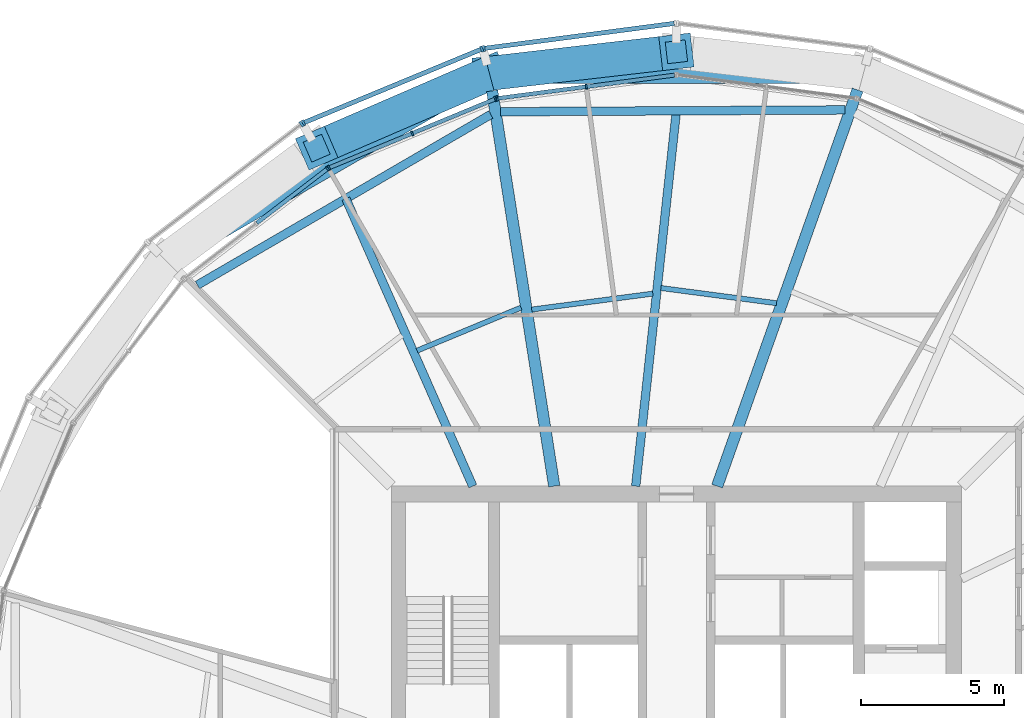
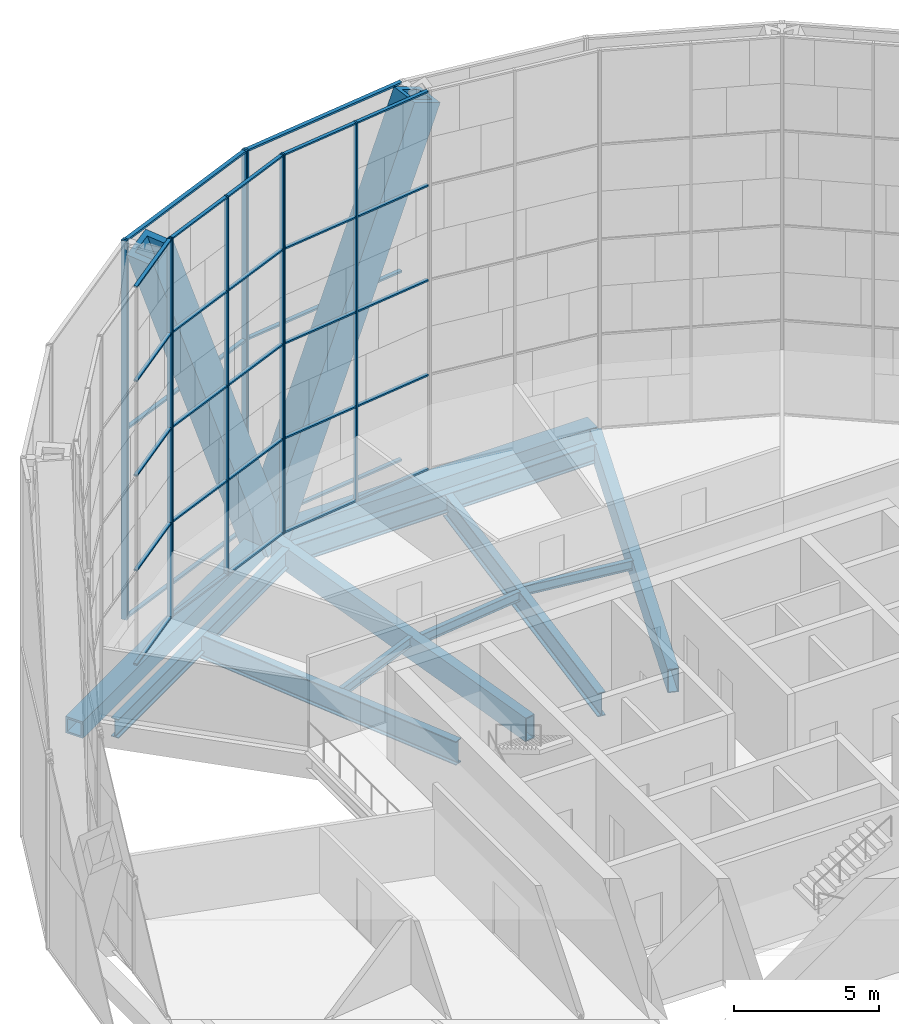
# One storey, part 9 of 28: 43 members, 11 beams, 6 elements without a shape of their own.
"""IFC4 building model written with IfcOpenShell, lengths in metres."""

import ifcopenshell
import ifcopenshell.guid

model = None  # the IFC model being written
_history = None  # IfcOwnerHistory: only IFC2X3 demands one
_inside = {}  # id of a spatial element -> (the spatial element, [elements in it])
_under = {}  # id of a project, library or spatial element -> (it, [spatial elements below it])
_declared = {}  # id of a project -> (the project, [libraries it declares])
_typed = {}  # id of a type object -> (the type object, [elements of that type])
_made_of = {}  # id of a material, layer set ... -> (it, [elements and type objects made of it])


def new_model(schema):
    """Start an empty IFC model of exactly this schema.

    Asked for "IFC4X3", IfcOpenShell would pick the latest addendum, in which some entities
    have other attributes; the version numbers below select the first issue.
    IFC2X3 requires an IfcOwnerHistory on every rooted entity: one is made here for all.
    """
    global model, _history
    if schema == "IFC4X3":
        model = ifcopenshell.file(schema_version=(4, 3, 0, 0))
    else:
        model = ifcopenshell.file(schema=schema)
    _inside.clear()
    _under.clear()
    _declared.clear()
    _typed.clear()
    _made_of.clear()
    _history = None
    if model.schema == "IFC2X3":
        org = make("IfcOrganization", Name="unknown")
        user = make(
            "IfcPersonAndOrganization",
            ThePerson=make("IfcPerson", FamilyName="unknown"),
            TheOrganization=org,
        )
        app = make(
            "IfcApplication",
            ApplicationDeveloper=org,
            Version="unknown",
            ApplicationFullName="unknown",
            ApplicationIdentifier="unknown",
        )
        _history = make(
            "IfcOwnerHistory",
            OwningUser=user,
            OwningApplication=app,
            ChangeAction="ADDED",
            CreationDate=0,
        )
    return model


def make(cls, **values):
    """One entity of the class cls with the attributes given. An attribute that is None is left unset."""
    return model.create_entity(
        cls, **{name: value for name, value in values.items() if value is not None}
    )


def rooted(cls, **values):
    """An entity with a GlobalId (a new one), such as an element, a storey or a relation."""
    return make(cls, GlobalId=ifcopenshell.guid.new(), OwnerHistory=_history, **values)


def si_unit(unit_type, name, prefix=None):
    """IfcSIUnit, for example si_unit("LENGTHUNIT", "METRE", prefix="MILLI")."""
    return make("IfcSIUnit", UnitType=unit_type, Prefix=prefix, Name=name)


def assignment(units):
    """IfcUnitAssignment: the units of a project."""
    return None if units is None else make("IfcUnitAssignment", Units=units)


def point(xyz):
    """IfcCartesianPoint."""
    return None if xyz is None else make("IfcCartesianPoint", Coordinates=xyz)


def direction(xyz):
    """IfcDirection."""
    return None if xyz is None else make("IfcDirection", DirectionRatios=xyz)


def frame(location, z_axis=None, x_axis=None):
    """IfcAxis2Placement3D, a coordinate frame: its origin and axes. An axis left out is left unset."""
    return make(
        "IfcAxis2Placement3D",
        Location=point(location),
        Axis=direction(z_axis),
        RefDirection=direction(x_axis),
    )


def frame_2d(location, x_axis=None):
    """IfcAxis2Placement2D, a coordinate frame in the plane: its origin and x axis."""
    return make(
        "IfcAxis2Placement2D", Location=point(location), RefDirection=direction(x_axis)
    )


def origin():
    """The frame at (0, 0, 0) with its axes left unset."""
    return frame((0.0, 0.0, 0.0))


def origin_2d():
    """The frame at (0, 0) in the plane with its x axis left unset."""
    return frame_2d((0.0, 0.0))


def place(relative_to, where):
    """IfcLocalPlacement: puts the frame where relative to a parent placement (None: the world)."""
    return make(
        "IfcLocalPlacement", PlacementRelTo=relative_to, RelativePlacement=where
    )


def context(
    kind, dimensions, precision=None, world=None, true_north=None, identifier=None
):
    """IfcGeometricRepresentationContext, for example the 3D "Model" context."""
    return make(
        "IfcGeometricRepresentationContext",
        ContextIdentifier=identifier,
        ContextType=kind,
        CoordinateSpaceDimension=dimensions,
        Precision=precision,
        WorldCoordinateSystem=world,
        TrueNorth=true_north,
    )


def subcontext(parent, identifier, kind, view, scale=None):
    """IfcGeometricRepresentationSubContext, for example "Body" below "Model"."""
    return make(
        "IfcGeometricRepresentationSubContext",
        ContextIdentifier=identifier,
        ContextType=kind,
        ParentContext=parent,
        TargetScale=scale,
        TargetView=view,
    )


def project(units=None, contexts=None):
    """IfcProject with its units and contexts."""
    return rooted(
        "IfcProject",
        Name="project",
        RepresentationContexts=contexts,
        UnitsInContext=assignment(units),
    )


def spatial(cls, under=None, at=None, **own):
    """A site, building, storey or space (cls), placed at a placement, below another one or the project."""
    s = rooted(cls, ObjectPlacement=at, **own)
    if under is not None:
        _under.setdefault(under.id(), (under, []))[1].append(s)
    return s


def profile(cls, at=None, kind="AREA", **sizes):
    """A parametric profile (cls). Its sizes go by their IFC names, for example OverallWidth=200.0."""
    return make(cls, ProfileType=kind, Position=at, **sizes)


def rectangle(**sizes):
    """IfcRectangleProfileDef."""
    return profile("IfcRectangleProfileDef", **sizes)


def hollow_rectangle(**sizes):
    """IfcRectangleHollowProfileDef."""
    return profile("IfcRectangleHollowProfileDef", **sizes)


def i_section(**sizes):
    """IfcIShapeProfileDef."""
    return profile("IfcIShapeProfileDef", **sizes)


def extrude(swept, where, along, depth):
    """IfcExtrudedAreaSolid: the profile swept, set in the frame where, extruded along a direction by depth."""
    return make(
        "IfcExtrudedAreaSolid",
        SweptArea=swept,
        Position=where,
        ExtrudedDirection=direction(along),
        Depth=depth,
    )


def shape(context_of_items, identifier, shape_type, items):
    """IfcShapeRepresentation: the items that make up one representation, for example the "Body"."""
    return make(
        "IfcShapeRepresentation",
        ContextOfItems=context_of_items,
        RepresentationIdentifier=identifier,
        RepresentationType=shape_type,
        Items=items,
    )


def material(Name=None, Category=None):
    """IfcMaterial."""
    return make("IfcMaterial", Name=Name, Category=Category)


def material_profile(
    of_material, cross_section, Name=None, Category=None, Priority=None
):
    """IfcMaterialProfile: a cross section and its material."""
    return make(
        "IfcMaterialProfile",
        Name=Name,
        Material=of_material,
        Profile=cross_section,
        Priority=Priority,
        Category=Category,
    )


def profile_set(profiles, Name=None, composite=None):
    """IfcMaterialProfileSet."""
    return make(
        "IfcMaterialProfileSet",
        Name=Name,
        MaterialProfiles=profiles,
        CompositeProfile=composite,
    )


def made_of(thing, what):
    """Note that an element or type object is made of a material, layer set ...; save() writes the relation."""
    if what is not None:
        _made_of.setdefault(what.id(), (what, []))[1].append(thing)
    return thing


def type_object(cls, material=None, **own):
    """A type object (cls), such as IfcWallType, which elements share."""
    return made_of(rooted(cls, **own), material)


def element(
    cls,
    number,
    at=None,
    inside=None,
    cuts=None,
    type_object=None,
    material=None,
    context=None,
    identifier="Body",
    shape_type=None,
    held_by="IfcProductDefinitionShape",
    body=None,
    shapes=None,
    **own,
):
    """One element of the class cls, such as IfcWall. Its Tag is "e" and its number.

    at: its placement. inside: the storey or other place that contains it. cuts: it is an
    opening in that element (IfcRelVoidsElement). A single representation is given by context,
    identifier, shape_type and body (its items); several are given by shapes. held_by: the class
    of the entity that holds the representations. save() writes the other relations.
    """
    e = rooted(cls, Tag="e%d" % number, ObjectPlacement=at, **own)
    if body is not None:
        shapes = [shape(context, identifier, shape_type, body)]
    if shapes is not None:
        e.Representation = make(held_by, Representations=shapes)
    if inside is not None:
        _inside.setdefault(inside.id(), (inside, []))[1].append(e)
    if cuts is not None:
        rooted(
            "IfcRelVoidsElement", RelatingBuildingElement=cuts, RelatedOpeningElement=e
        )
    if type_object is not None:
        _typed.setdefault(type_object.id(), (type_object, []))[1].append(e)
    return made_of(e, material)


def aggregate(whole, parts):
    """IfcRelAggregates: a whole, such as a stair, and the parts it consists of."""
    return rooted("IfcRelAggregates", RelatingObject=whole, RelatedObjects=parts)


def save(model, path):
    """Write the relations noted so far, then the file.

    IfcRelAggregates (storeys below a building ...), IfcRelContainedInSpatialStructure (elements
    in a storey), IfcRelDefinesByType, IfcRelAssociatesMaterial and IfcRelDeclares: one each for
    every whole, place, type object, material and project.
    """
    for whole, parts in _under.values():
        aggregate(whole, parts)
    for where, things in _inside.values():
        rooted(
            "IfcRelContainedInSpatialStructure",
            RelatedElements=things,
            RelatingStructure=where,
        )
    for kind, things in _typed.values():
        rooted("IfcRelDefinesByType", RelatedObjects=things, RelatingType=kind)
    for what, things in _made_of.values():
        rooted("IfcRelAssociatesMaterial", RelatedObjects=things, RelatingMaterial=what)
    for by, libraries in _declared.values():
        rooted("IfcRelDeclares", RelatingContext=by, RelatedDefinitions=libraries)
    model.write(path)


model = new_model("IFC4")

# Units and contexts
model_context = context("Model", 3, precision=1e-05, world=origin(), true_north=direction((0.0, 1.0)))
body_context = subcontext(model_context, "Body", "Model", "MODEL_VIEW")
ifc_project = project(units=[si_unit("LENGTHUNIT", "METRE"), si_unit("AREAUNIT", "SQUARE_METRE"), si_unit("VOLUMEUNIT", "CUBIC_METRE"), si_unit("PLANEANGLEUNIT", "RADIAN"), si_unit("MASSUNIT", "GRAM", prefix="KILO")], contexts=[model_context])

# Site, building, storey
site_placement = place(None, origin())
site = spatial("IfcSite", under=ifc_project, at=site_placement, CompositionType="ELEMENT")
building_placement = place(site_placement, origin())
building = spatial("IfcBuilding", under=site, at=building_placement, Name="Golbaran Civic Tower", CompositionType="ELEMENT")
storey_placement = place(building_placement, frame((0.0, 0.0, 134.0)))
storey = spatial("IfcBuildingStorey", under=building, at=storey_placement, Name="L32", CompositionType="ELEMENT", Elevation=134.0)

# Members
ifc_material_1 = material(Name="Steel S355", Category="steel")
ifc_material_profile_1 = material_profile(ifc_material_1, hollow_rectangle(XDim=1.199951171875, YDim=1.199951171875, WallThickness=0.219970703125, at=origin_2d()), Name="BOX 1200x1200x220")
ifc_profile_set_1 = profile_set([ifc_material_profile_1], Name="Steel S355")
member_type_1 = type_object("IfcMemberType", Name="DIAGRID DIAGONAL BOX 1200x1200x220", PredefinedType="BRACE", material=ifc_profile_set_1)
for number, where, z_axis, x_axis, name in (
    (1, (-6.55859375, 24.4765625, -0.7099609375), (-0.350021010135, -0.151560578437, 0.924399634102), (0.397353161289, -0.917665769882, 0.0), "Diagonal D07-03R L32-L36"),
    (2, (-6.55859375, 24.4765625, -0.7099609375), (0.37892043084, 0.043754138493, 0.92439433277), (-0.114708322129, 0.993399215237, 0.0), "Diagonal D07-03L L32-L36"),
):
    element("IfcMember", number, at=place(storey_placement, frame(where, z_axis=z_axis, x_axis=x_axis)), inside=storey, type_object=member_type_1, Name=name, PredefinedType="BRACE", context=body_context, shape_type="SweptSolid", body=[
        extrude(hollow_rectangle(XDim=1.199951171875, YDim=1.199951171875, WallThickness=0.219970703125, at=origin_2d()), origin(), (0.0, 0.0, 1.0), 17.30859375),
    ])

# Beams
ifc_material_profile_2 = material_profile(ifc_material_1, hollow_rectangle(XDim=0.699951171875, YDim=0.699951171875, WallThickness=0.080078125, at=origin_2d()), Name="BOX 700x700x80")
ifc_profile_set_2 = profile_set([ifc_material_profile_2], Name="Steel S355")
beam_type_1 = type_object("IfcBeamType", Name="DIAGRID RING TIE BOX 700x700x80", PredefinedType="BEAM", material=ifc_profile_set_2)
beam_1_placement = place(storey_placement, frame((6.55859375, 24.4765625, -0.7099609375), z_axis=(-1.0, 0.0, 0.0), x_axis=(0.0, -1.0, 0.0)))
element("IfcBeam", 3, at=beam_1_placement, inside=storey, type_object=beam_type_1, Name="Ring tie 75.00 L32", PredefinedType="BEAM", context=body_context, shape_type="SweptSolid", body=[
    extrude(hollow_rectangle(XDim=0.699951171875, YDim=0.699951171875, WallThickness=0.080078125, at=origin_2d()), origin(), (0.0, 0.0, 1.0), 13.1171875),
])
beam_2_placement = place(storey_placement, frame((-6.55859375, 24.4765625, -0.7099609375), z_axis=(-0.866016967894, -0.500014611105, 0.0), x_axis=(0.500014611105, -0.866016967894, 0.0)))
element("IfcBeam", 4, at=beam_2_placement, inside=storey, type_object=beam_type_1, Name="Ring tie 105.00 L32", PredefinedType="BEAM", context=body_context, shape_type="SweptSolid", body=[
    extrude(hollow_rectangle(XDim=0.699951171875, YDim=0.699951171875, WallThickness=0.080078125, at=origin_2d()), origin(), (0.0, 0.0, 1.0), 13.11669921875),
])
ifc_material_profile_3 = material_profile(ifc_material_1, i_section(OverallWidth=0.300048828125, OverallDepth=0.800048828125, WebThickness=0.017578125, FlangeThickness=0.032958984375, FilletRadius=0.030029296875, at=origin_2d()), Name="HEB 800")
ifc_profile_set_3 = profile_set([ifc_material_profile_3], Name="Steel S355")
beam_type_2 = type_object("IfcBeamType", Name="EDGE BEAM HEB 800", PredefinedType="BEAM", material=ifc_profile_set_3)
beam_3_placement = place(storey_placement, frame((5.913330078125, 23.195068359375, -0.60009765625), z_axis=(-0.999986297287, -0.005235001233, 0.0), x_axis=(0.005235001233, -0.999986297287, 0.0)))
element("IfcBeam", 5, at=beam_3_placement, inside=storey, type_object=beam_type_2, Name="Edge beam 75.00 L32", PredefinedType="BEAM", context=body_context, shape_type="SweptSolid", body=[
    extrude(i_section(OverallWidth=0.300048828125, OverallDepth=0.800048828125, WebThickness=0.017578125, FlangeThickness=0.032958984375, FilletRadius=0.030029296875, at=origin_2d()), origin(), (0.0, 0.0, 1.0), 12.078857421875),
])
beam_4_placement = place(storey_placement, frame((-6.51416015625, 23.033935546875, -0.60009765625), z_axis=(-0.864517761799, -0.502602267737, 0.0), x_axis=(0.502602267737, -0.864517761799, 0.0)))
element("IfcBeam", 6, at=beam_4_placement, inside=storey, type_object=beam_type_2, Name="Edge beam 105.00 L32", PredefinedType="BEAM", context=body_context, shape_type="SweptSolid", body=[
    extrude(i_section(OverallWidth=0.300048828125, OverallDepth=0.800048828125, WebThickness=0.017578125, FlangeThickness=0.032958984375, FilletRadius=0.030029296875, at=origin_2d()), origin(), (0.0, 0.0, 1.0), 11.8974609375),
])
ifc_material_profile_4 = material_profile(ifc_material_1, i_section(OverallWidth=0.179931640625, OverallDepth=0.39990234375, WebThickness=0.008544921875, FlangeThickness=0.013427734375, FilletRadius=0.02099609375, at=origin_2d()), Name="IPE 400")
ifc_profile_set_4 = profile_set([ifc_material_profile_4], Name="Steel S355")
beam_type_3 = type_object("IfcBeamType", Name="FLOOR INFILL BEAM IPE 400", PredefinedType="BEAM", material=ifc_profile_set_4)
beam_5_placement = place(storey_placement, frame((3.510986328125, 16.41552734375, -0.39990234375), z_axis=(-0.991448605296, 0.130497751155, 0.0), x_axis=(-0.130497751155, -0.991448605296, 0.0)))
element("IfcBeam", 7, at=beam_5_placement, inside=storey, type_object=beam_type_3, Name="Infill beam 82.50 L32", PredefinedType="BEAM", context=body_context, shape_type="SweptSolid", body=[
    extrude(i_section(OverallWidth=0.179931640625, OverallDepth=0.39990234375, WebThickness=0.008544921875, FlangeThickness=0.013427734375, FilletRadius=0.02099609375, at=origin_2d()), origin(), (0.0, 0.0, 1.0), 4.089599609375),
])
beam_6_placement = place(storey_placement, frame((-0.82666015625, 16.752685546875, -0.39990234375), z_axis=(-0.991440524294, -0.130559131381, 0.0), x_axis=(0.130559131381, -0.991440524294, 0.0)))
element("IfcBeam", 8, at=beam_6_placement, inside=storey, type_object=beam_type_3, Name="Infill beam 97.50 L32", PredefinedType="BEAM", context=body_context, shape_type="SweptSolid", body=[
    extrude(i_section(OverallWidth=0.179931640625, OverallDepth=0.39990234375, WebThickness=0.008544921875, FlangeThickness=0.013427734375, FilletRadius=0.02099609375, at=origin_2d()), origin(), (0.0, 0.0, 1.0), 4.285888671875),
])
beam_7_placement = place(storey_placement, frame((-5.451171875, 16.26220703125, -0.39990234375), z_axis=(-0.923887198212, -0.382664925203, 0.0), x_axis=(0.382664925203, -0.923887198212, 0.0)))
element("IfcBeam", 9, at=beam_7_placement, inside=storey, type_object=beam_type_3, Name="Infill beam 112.50 L32", PredefinedType="BEAM", context=body_context, shape_type="SweptSolid", body=[
    extrude(i_section(OverallWidth=0.179931640625, OverallDepth=0.39990234375, WebThickness=0.008544921875, FlangeThickness=0.013427734375, FilletRadius=0.02099609375, at=origin_2d()), origin(), (0.0, 0.0, 1.0), 3.947998046875),
])

# Curtain wall, members
ifc_material_2 = material(Name="Aluminium and glass", Category="aluminium")
curtain_wall_type_1 = type_object("IfcCurtainWallType", Name="INNER SKIN CURTAIN WALL", PredefinedType="NOTDEFINED", material=ifc_material_2)
curtain_wall_1_placement = place(storey_placement, origin())
curtain_wall_1 = element("IfcCurtainWall", 10, at=curtain_wall_1_placement, inside=storey, type_object=curtain_wall_type_1, Name="Inner skin L32 facet 7 CW1", ObjectType="INNER SKIN", PredefinedType="USERDEFINED")
ifc_material_3 = material(Name="Aluminium", Category="aluminium")
ifc_material_profile_5 = material_profile(ifc_material_3, rectangle(XDim=0.179931640625, YDim=0.06494140625, at=origin_2d()), Name="INNER SKIN CURTAIN WALL MULLION")
ifc_profile_set_5 = profile_set([ifc_material_profile_5], Name="Aluminium")
member_type_2 = type_object("IfcMemberType", Name="INNER SKIN CURTAIN WALL MULLION", PredefinedType="MULLION", material=ifc_profile_set_5)
member_1_placement = place(storey_placement, frame((-3.160888671875, 24.0087890625, 0.0), z_axis=(0.0, 0.0, 1.0), x_axis=(0.130526192237, -0.991444861372, 0.0)))
member_1 = element("IfcMember", 11, at=member_1_placement, type_object=member_type_2, Name="CW1 mullion 2", PredefinedType="MULLION", context=body_context, shape_type="SweptSolid", body=[
    extrude(rectangle(XDim=0.179931640625, YDim=0.06494140625, at=origin_2d()), origin(), (0.0, 0.0, 1.0), 16.0),
])
member_2_placement = place(storey_placement, frame((-6.28955078125, 23.596923828125, 0.0), z_axis=(0.0, 0.0, 1.0), x_axis=(0.130526192237, -0.991444861372, 0.0)))
member_2 = element("IfcMember", 12, at=member_2_placement, type_object=member_type_2, Name="CW1 mullion 3", PredefinedType="MULLION", context=body_context, shape_type="SweptSolid", body=[
    extrude(rectangle(XDim=0.179931640625, YDim=0.06494140625, at=origin_2d()), origin(), (0.0, 0.0, 1.0), 16.0),
])

curtain_wall_2_placement = place(storey_placement, origin())
curtain_wall_2 = element("IfcCurtainWall", 13, at=curtain_wall_2_placement, inside=storey, type_object=curtain_wall_type_1, Name="Inner skin L32 facet 8 CW1", ObjectType="INNER SKIN", PredefinedType="USERDEFINED")
member_3_placement = place(storey_placement, frame((-6.3515625, 23.580322265625, 0.0), z_axis=(0.0, 0.0, 1.0), x_axis=(0.38268343243, -0.923879532485, 0.0)))
member_3 = element("IfcMember", 14, at=member_3_placement, type_object=member_type_2, Name="CW1 mullion 1", PredefinedType="MULLION", context=body_context, shape_type="SweptSolid", body=[
    extrude(rectangle(XDim=0.179931640625, YDim=0.06494140625, at=origin_2d()), origin(), (0.0, 0.0, 1.0), 16.0),
])
member_4_placement = place(storey_placement, frame((-9.26708984375, 22.372802734375, 0.0), z_axis=(0.0, 0.0, 1.0), x_axis=(0.38268343243, -0.923879532485, 0.0)))
member_4 = element("IfcMember", 15, at=member_4_placement, type_object=member_type_2, Name="CW1 mullion 2", PredefinedType="MULLION", context=body_context, shape_type="SweptSolid", body=[
    extrude(rectangle(XDim=0.179931640625, YDim=0.06494140625, at=origin_2d()), origin(), (0.0, 0.0, 1.0), 16.0),
])
member_5_placement = place(storey_placement, frame((-12.182373046875, 21.1650390625, 0.0), z_axis=(0.0, 0.0, 1.0), x_axis=(0.38268343243, -0.923879532485, 0.0)))
member_5 = element("IfcMember", 16, at=member_5_placement, type_object=member_type_2, Name="CW1 mullion 3", PredefinedType="MULLION", context=body_context, shape_type="SweptSolid", body=[
    extrude(rectangle(XDim=0.179931640625, YDim=0.06494140625, at=origin_2d()), origin(), (0.0, 0.0, 1.0), 16.0),
])

# Curtain wall, member
curtain_wall_3_placement = place(storey_placement, origin())
curtain_wall_3 = element("IfcCurtainWall", 17, at=curtain_wall_3_placement, inside=storey, type_object=curtain_wall_type_1, Name="Inner skin L32 facet 9 CW1", ObjectType="INNER SKIN", PredefinedType="USERDEFINED")
member_6_placement = place(storey_placement, frame((-12.23828125, 21.1328125, 0.0), z_axis=(0.0, 0.0, 1.0), x_axis=(0.60876142905, -0.793353340259, 0.0)))
member_6 = element("IfcMember", 18, at=member_6_placement, type_object=member_type_2, Name="CW1 mullion 1", PredefinedType="MULLION", context=body_context, shape_type="SweptSolid", body=[
    extrude(rectangle(XDim=0.179931640625, YDim=0.06494140625, at=origin_2d()), origin(), (0.0, 0.0, 1.0), 16.0),
])

# Member
ifc_material_profile_6 = material_profile(ifc_material_3, rectangle(XDim=0.139892578125, YDim=0.06494140625, at=origin_2d()), Name="INNER SKIN CURTAIN WALL TRANSOM")
ifc_profile_set_6 = profile_set([ifc_material_profile_6], Name="Aluminium")
member_type_3 = type_object("IfcMemberType", Name="INNER SKIN CURTAIN WALL TRANSOM", PredefinedType="USERDEFINED", material=ifc_profile_set_6)
member_7_placement = place(storey_placement, frame((-0.064453125, 24.41650390625, 0.032470703125), z_axis=(-0.991448648373, -0.13049742388, 0.0), x_axis=(0.13049742388, -0.991448648373, 0.0)))
member_7 = element("IfcMember", 19, at=member_7_placement, type_object=member_type_3, Name="CW1 transom 1.1", ObjectType="TRANSOM", PredefinedType="USERDEFINED", context=body_context, shape_type="SweptSolid", body=[
    extrude(rectangle(XDim=0.139892578125, YDim=0.06494140625, at=origin_2d()), origin(), (0.0, 0.0, 1.0), 3.090576171875),
])

member_8_placement = place(storey_placement, frame((-0.064453125, 24.41650390625, 4.0), z_axis=(-0.991448648373, -0.13049742388, 0.0), x_axis=(0.13049742388, -0.991448648373, 0.0)))
member_8 = element("IfcMember", 20, at=member_8_placement, type_object=member_type_3, Name="CW1 transom 1.2", ObjectType="TRANSOM", PredefinedType="USERDEFINED", context=body_context, shape_type="SweptSolid", body=[
    extrude(rectangle(XDim=0.139892578125, YDim=0.06494140625, at=origin_2d()), origin(), (0.0, 0.0, 1.0), 3.090576171875),
])

member_9_placement = place(storey_placement, frame((-0.064453125, 24.41650390625, 8.0), z_axis=(-0.991448648373, -0.13049742388, 0.0), x_axis=(0.13049742388, -0.991448648373, 0.0)))
member_9 = element("IfcMember", 21, at=member_9_placement, type_object=member_type_3, Name="CW1 transom 1.3", ObjectType="TRANSOM", PredefinedType="USERDEFINED", context=body_context, shape_type="SweptSolid", body=[
    extrude(rectangle(XDim=0.139892578125, YDim=0.06494140625, at=origin_2d()), origin(), (0.0, 0.0, 1.0), 3.090576171875),
])

member_10_placement = place(storey_placement, frame((-0.064453125, 24.41650390625, 12.0), z_axis=(-0.991448648373, -0.13049742388, 0.0), x_axis=(0.13049742388, -0.991448648373, 0.0)))
member_10 = element("IfcMember", 22, at=member_10_placement, type_object=member_type_3, Name="CW1 transom 1.4", ObjectType="TRANSOM", PredefinedType="USERDEFINED", context=body_context, shape_type="SweptSolid", body=[
    extrude(rectangle(XDim=0.139892578125, YDim=0.06494140625, at=origin_2d()), origin(), (0.0, 0.0, 1.0), 3.090576171875),
])

member_11_placement = place(storey_placement, frame((-0.064453125, 24.41650390625, 15.967529296875), z_axis=(-0.991448648373, -0.13049742388, 0.0), x_axis=(0.13049742388, -0.991448648373, 0.0)))
member_11 = element("IfcMember", 23, at=member_11_placement, type_object=member_type_3, Name="CW1 transom 1.5", ObjectType="TRANSOM", PredefinedType="USERDEFINED", context=body_context, shape_type="SweptSolid", body=[
    extrude(rectangle(XDim=0.139892578125, YDim=0.06494140625, at=origin_2d()), origin(), (0.0, 0.0, 1.0), 3.090576171875),
])

member_12_placement = place(storey_placement, frame((-3.193115234375, 24.004638671875, 0.032470703125), z_axis=(-0.991448648373, -0.13049742388, 0.0), x_axis=(0.13049742388, -0.991448648373, 0.0)))
member_12 = element("IfcMember", 24, at=member_12_placement, type_object=member_type_3, Name="CW1 transom 2.1", ObjectType="TRANSOM", PredefinedType="USERDEFINED", context=body_context, shape_type="SweptSolid", body=[
    extrude(rectangle(XDim=0.139892578125, YDim=0.06494140625, at=origin_2d()), origin(), (0.0, 0.0, 1.0), 3.090576171875),
])

member_13_placement = place(storey_placement, frame((-3.193115234375, 24.004638671875, 4.0), z_axis=(-0.991448648373, -0.13049742388, 0.0), x_axis=(0.13049742388, -0.991448648373, 0.0)))
member_13 = element("IfcMember", 25, at=member_13_placement, type_object=member_type_3, Name="CW1 transom 2.2", ObjectType="TRANSOM", PredefinedType="USERDEFINED", context=body_context, shape_type="SweptSolid", body=[
    extrude(rectangle(XDim=0.139892578125, YDim=0.06494140625, at=origin_2d()), origin(), (0.0, 0.0, 1.0), 3.090576171875),
])

member_14_placement = place(storey_placement, frame((-3.193115234375, 24.004638671875, 8.0), z_axis=(-0.991448648373, -0.13049742388, 0.0), x_axis=(0.13049742388, -0.991448648373, 0.0)))
member_14 = element("IfcMember", 26, at=member_14_placement, type_object=member_type_3, Name="CW1 transom 2.3", ObjectType="TRANSOM", PredefinedType="USERDEFINED", context=body_context, shape_type="SweptSolid", body=[
    extrude(rectangle(XDim=0.139892578125, YDim=0.06494140625, at=origin_2d()), origin(), (0.0, 0.0, 1.0), 3.090576171875),
])

member_15_placement = place(storey_placement, frame((-3.193115234375, 24.004638671875, 12.0), z_axis=(-0.991448648373, -0.13049742388, 0.0), x_axis=(0.13049742388, -0.991448648373, 0.0)))
member_15 = element("IfcMember", 27, at=member_15_placement, type_object=member_type_3, Name="CW1 transom 2.4", ObjectType="TRANSOM", PredefinedType="USERDEFINED", context=body_context, shape_type="SweptSolid", body=[
    extrude(rectangle(XDim=0.139892578125, YDim=0.06494140625, at=origin_2d()), origin(), (0.0, 0.0, 1.0), 3.090576171875),
])

member_16_placement = place(storey_placement, frame((-3.193115234375, 24.004638671875, 15.967529296875), z_axis=(-0.991448648373, -0.13049742388, 0.0), x_axis=(0.13049742388, -0.991448648373, 0.0)))
member_16 = element("IfcMember", 28, at=member_16_placement, type_object=member_type_3, Name="CW1 transom 2.5", ObjectType="TRANSOM", PredefinedType="USERDEFINED", context=body_context, shape_type="SweptSolid", body=[
    extrude(rectangle(XDim=0.139892578125, YDim=0.06494140625, at=origin_2d()), origin(), (0.0, 0.0, 1.0), 3.090576171875),
])

aggregate(curtain_wall_1, [member_1, member_2, member_7, member_8, member_9, member_10, member_11, member_12, member_13, member_14, member_15, member_16])

member_17_placement = place(storey_placement, frame((-6.381591796875, 23.56787109375, 0.032470703125), z_axis=(-0.923897456466, -0.382640157244, 0.0), x_axis=(0.382640157244, -0.923897456466, 0.0)))
member_17 = element("IfcMember", 29, at=member_17_placement, type_object=member_type_3, Name="CW1 transom 1.1", ObjectType="TRANSOM", PredefinedType="USERDEFINED", context=body_context, shape_type="SweptSolid", body=[
    extrude(rectangle(XDim=0.139892578125, YDim=0.06494140625, at=origin_2d()), origin(), (0.0, 0.0, 1.0), 3.090576171875),
])

member_18_placement = place(storey_placement, frame((-6.381591796875, 23.56787109375, 4.0), z_axis=(-0.923897456466, -0.382640157244, 0.0), x_axis=(0.382640157244, -0.923897456466, 0.0)))
member_18 = element("IfcMember", 30, at=member_18_placement, type_object=member_type_3, Name="CW1 transom 1.2", ObjectType="TRANSOM", PredefinedType="USERDEFINED", context=body_context, shape_type="SweptSolid", body=[
    extrude(rectangle(XDim=0.139892578125, YDim=0.06494140625, at=origin_2d()), origin(), (0.0, 0.0, 1.0), 3.090576171875),
])

member_19_placement = place(storey_placement, frame((-6.381591796875, 23.56787109375, 8.0), z_axis=(-0.923897456466, -0.382640157244, 0.0), x_axis=(0.382640157244, -0.923897456466, 0.0)))
member_19 = element("IfcMember", 31, at=member_19_placement, type_object=member_type_3, Name="CW1 transom 1.3", ObjectType="TRANSOM", PredefinedType="USERDEFINED", context=body_context, shape_type="SweptSolid", body=[
    extrude(rectangle(XDim=0.139892578125, YDim=0.06494140625, at=origin_2d()), origin(), (0.0, 0.0, 1.0), 3.090576171875),
])

member_20_placement = place(storey_placement, frame((-6.381591796875, 23.56787109375, 12.0), z_axis=(-0.923897456466, -0.382640157244, 0.0), x_axis=(0.382640157244, -0.923897456466, 0.0)))
member_20 = element("IfcMember", 32, at=member_20_placement, type_object=member_type_3, Name="CW1 transom 1.4", ObjectType="TRANSOM", PredefinedType="USERDEFINED", context=body_context, shape_type="SweptSolid", body=[
    extrude(rectangle(XDim=0.139892578125, YDim=0.06494140625, at=origin_2d()), origin(), (0.0, 0.0, 1.0), 3.090576171875),
])

member_21_placement = place(storey_placement, frame((-6.381591796875, 23.56787109375, 15.967529296875), z_axis=(-0.923897456466, -0.382640157244, 0.0), x_axis=(0.382640157244, -0.923897456466, 0.0)))
member_21 = element("IfcMember", 33, at=member_21_placement, type_object=member_type_3, Name="CW1 transom 1.5", ObjectType="TRANSOM", PredefinedType="USERDEFINED", context=body_context, shape_type="SweptSolid", body=[
    extrude(rectangle(XDim=0.139892578125, YDim=0.06494140625, at=origin_2d()), origin(), (0.0, 0.0, 1.0), 3.090576171875),
])

member_22_placement = place(storey_placement, frame((-9.297119140625, 22.3603515625, 0.032470703125), z_axis=(-0.923857958789, -0.382735511786, 0.0), x_axis=(0.382735511786, -0.923857958789, 0.0)))
member_22 = element("IfcMember", 34, at=member_22_placement, type_object=member_type_3, Name="CW1 transom 2.1", ObjectType="TRANSOM", PredefinedType="USERDEFINED", context=body_context, shape_type="SweptSolid", body=[
    extrude(rectangle(XDim=0.139892578125, YDim=0.06494140625, at=origin_2d()), origin(), (0.0, 0.0, 1.0), 3.090576171875),
])

member_23_placement = place(storey_placement, frame((-9.297119140625, 22.3603515625, 4.0), z_axis=(-0.923857958789, -0.382735511786, 0.0), x_axis=(0.382735511786, -0.923857958789, 0.0)))
member_23 = element("IfcMember", 35, at=member_23_placement, type_object=member_type_3, Name="CW1 transom 2.2", ObjectType="TRANSOM", PredefinedType="USERDEFINED", context=body_context, shape_type="SweptSolid", body=[
    extrude(rectangle(XDim=0.139892578125, YDim=0.06494140625, at=origin_2d()), origin(), (0.0, 0.0, 1.0), 3.090576171875),
])

member_24_placement = place(storey_placement, frame((-9.297119140625, 22.3603515625, 8.0), z_axis=(-0.923857958789, -0.382735511786, 0.0), x_axis=(0.382735511786, -0.923857958789, 0.0)))
member_24 = element("IfcMember", 36, at=member_24_placement, type_object=member_type_3, Name="CW1 transom 2.3", ObjectType="TRANSOM", PredefinedType="USERDEFINED", context=body_context, shape_type="SweptSolid", body=[
    extrude(rectangle(XDim=0.139892578125, YDim=0.06494140625, at=origin_2d()), origin(), (0.0, 0.0, 1.0), 3.090576171875),
])

member_25_placement = place(storey_placement, frame((-9.297119140625, 22.3603515625, 12.0), z_axis=(-0.923857958789, -0.382735511786, 0.0), x_axis=(0.382735511786, -0.923857958789, 0.0)))
member_25 = element("IfcMember", 37, at=member_25_placement, type_object=member_type_3, Name="CW1 transom 2.4", ObjectType="TRANSOM", PredefinedType="USERDEFINED", context=body_context, shape_type="SweptSolid", body=[
    extrude(rectangle(XDim=0.139892578125, YDim=0.06494140625, at=origin_2d()), origin(), (0.0, 0.0, 1.0), 3.090576171875),
])

member_26_placement = place(storey_placement, frame((-9.297119140625, 22.3603515625, 15.967529296875), z_axis=(-0.923857958789, -0.382735511786, 0.0), x_axis=(0.382735511786, -0.923857958789, 0.0)))
member_26 = element("IfcMember", 38, at=member_26_placement, type_object=member_type_3, Name="CW1 transom 2.5", ObjectType="TRANSOM", PredefinedType="USERDEFINED", context=body_context, shape_type="SweptSolid", body=[
    extrude(rectangle(XDim=0.139892578125, YDim=0.06494140625, at=origin_2d()), origin(), (0.0, 0.0, 1.0), 3.090576171875),
])

aggregate(curtain_wall_2, [member_3, member_4, member_5, member_17, member_18, member_19, member_20, member_21, member_22, member_23, member_24, member_25, member_26])

member_27_placement = place(storey_placement, frame((-12.26416015625, 21.113037109375, 0.032470703125), z_axis=(-0.793363448304, -0.608748255763, 0.0), x_axis=(0.608748255763, -0.793363448304, 0.0)))
member_27 = element("IfcMember", 39, at=member_27_placement, type_object=member_type_3, Name="CW1 transom 1.1", ObjectType="TRANSOM", PredefinedType="USERDEFINED", context=body_context, shape_type="SweptSolid", body=[
    extrude(rectangle(XDim=0.139892578125, YDim=0.06494140625, at=origin_2d()), origin(), (0.0, 0.0, 1.0), 3.090576171875),
])

member_28_placement = place(storey_placement, frame((-12.26416015625, 21.113037109375, 4.0), z_axis=(-0.793363448304, -0.608748255763, 0.0), x_axis=(0.608748255763, -0.793363448304, 0.0)))
member_28 = element("IfcMember", 40, at=member_28_placement, type_object=member_type_3, Name="CW1 transom 1.2", ObjectType="TRANSOM", PredefinedType="USERDEFINED", context=body_context, shape_type="SweptSolid", body=[
    extrude(rectangle(XDim=0.139892578125, YDim=0.06494140625, at=origin_2d()), origin(), (0.0, 0.0, 1.0), 3.090576171875),
])

member_29_placement = place(storey_placement, frame((-12.26416015625, 21.113037109375, 8.0), z_axis=(-0.793363448304, -0.608748255763, 0.0), x_axis=(0.608748255763, -0.793363448304, 0.0)))
member_29 = element("IfcMember", 41, at=member_29_placement, type_object=member_type_3, Name="CW1 transom 1.3", ObjectType="TRANSOM", PredefinedType="USERDEFINED", context=body_context, shape_type="SweptSolid", body=[
    extrude(rectangle(XDim=0.139892578125, YDim=0.06494140625, at=origin_2d()), origin(), (0.0, 0.0, 1.0), 3.090576171875),
])

member_30_placement = place(storey_placement, frame((-12.26416015625, 21.113037109375, 12.0), z_axis=(-0.793363448304, -0.608748255763, 0.0), x_axis=(0.608748255763, -0.793363448304, 0.0)))
member_30 = element("IfcMember", 42, at=member_30_placement, type_object=member_type_3, Name="CW1 transom 1.4", ObjectType="TRANSOM", PredefinedType="USERDEFINED", context=body_context, shape_type="SweptSolid", body=[
    extrude(rectangle(XDim=0.139892578125, YDim=0.06494140625, at=origin_2d()), origin(), (0.0, 0.0, 1.0), 3.090576171875),
])

member_31_placement = place(storey_placement, frame((-12.26416015625, 21.113037109375, 15.967529296875), z_axis=(-0.793363448304, -0.608748255763, 0.0), x_axis=(0.608748255763, -0.793363448304, 0.0)))
member_31 = element("IfcMember", 43, at=member_31_placement, type_object=member_type_3, Name="CW1 transom 1.5", ObjectType="TRANSOM", PredefinedType="USERDEFINED", context=body_context, shape_type="SweptSolid", body=[
    extrude(rectangle(XDim=0.139892578125, YDim=0.06494140625, at=origin_2d()), origin(), (0.0, 0.0, 1.0), 3.090576171875),
])

aggregate(curtain_wall_3, [member_6, member_27, member_28, member_29, member_30, member_31])

# Curtain wall, member
curtain_wall_type_2 = type_object("IfcCurtainWallType", Name="OUTER SKIN TERRACOTTA SCREEN", PredefinedType="NOTDEFINED", material=ifc_material_2)
curtain_wall_4_placement = place(storey_placement, origin())
curtain_wall_4 = element("IfcCurtainWall", 44, at=curtain_wall_4_placement, inside=storey, type_object=curtain_wall_type_2, Name="Outer skin L32 facet 7 CW3", ObjectType="OUTER SKIN", PredefinedType="USERDEFINED")
ifc_material_profile_7 = material_profile(ifc_material_3, rectangle(XDim=0.219970703125, YDim=0.080078125, at=origin_2d()), Name="OUTER SKIN TERRACOTTA SCREEN MULLION")
ifc_profile_set_7 = profile_set([ifc_material_profile_7], Name="Aluminium")
member_type_4 = type_object("IfcMemberType", Name="OUTER SKIN TERRACOTTA SCREEN MULLION", PredefinedType="MULLION", material=ifc_profile_set_7)
member_32_placement = place(storey_placement, frame((-6.751708984375, 25.35107421875, -0.7099609375), z_axis=(0.0, 0.0, 1.0), x_axis=(0.130526192203, -0.991444861376, 0.0)))
member_32 = element("IfcMember", 45, at=member_32_placement, type_object=member_type_4, Name="CW3 mullion 2", PredefinedType="MULLION", context=body_context, shape_type="SweptSolid", body=[
    extrude(rectangle(XDim=0.219970703125, YDim=0.080078125, at=origin_2d()), origin(), (0.0, 0.0, 1.0), 16.0),
])

# Curtain wall, members
curtain_wall_5_placement = place(storey_placement, origin())
curtain_wall_5 = element("IfcCurtainWall", 46, at=curtain_wall_5_placement, inside=storey, type_object=curtain_wall_type_2, Name="Outer skin L32 facet 8 CW3", ObjectType="OUTER SKIN", PredefinedType="USERDEFINED")
member_33_placement = place(storey_placement, frame((-6.828369140625, 25.33056640625, -0.7099609375), z_axis=(0.0, 0.0, 1.0), x_axis=(0.382683432397, -0.923879532498, 0.0)))
member_33 = element("IfcMember", 47, at=member_33_placement, type_object=member_type_4, Name="CW3 mullion 1", PredefinedType="MULLION", context=body_context, shape_type="SweptSolid", body=[
    extrude(rectangle(XDim=0.219970703125, YDim=0.080078125, at=origin_2d()), origin(), (0.0, 0.0, 1.0), 16.0),
])
member_34_placement = place(storey_placement, frame((-13.0830078125, 22.73974609375, -0.7099609375), z_axis=(0.0, 0.0, 1.0), x_axis=(0.382683432397, -0.923879532498, 0.0)))
member_34 = element("IfcMember", 48, at=member_34_placement, type_object=member_type_4, Name="CW3 mullion 2", PredefinedType="MULLION", context=body_context, shape_type="SweptSolid", body=[
    extrude(rectangle(XDim=0.219970703125, YDim=0.080078125, at=origin_2d()), origin(), (0.0, 0.0, 1.0), 16.0),
])

# Curtain wall, member
curtain_wall_6_placement = place(storey_placement, origin())
curtain_wall_6 = element("IfcCurtainWall", 49, at=curtain_wall_6_placement, inside=storey, type_object=curtain_wall_type_2, Name="Outer skin L32 facet 9 CW3", ObjectType="OUTER SKIN", PredefinedType="USERDEFINED")
member_35_placement = place(storey_placement, frame((-13.15185546875, 22.7001953125, -0.7099609375), z_axis=(0.0, 0.0, 1.0), x_axis=(0.608761429036, -0.79335334027, 0.0)))
member_35 = element("IfcMember", 50, at=member_35_placement, type_object=member_type_4, Name="CW3 mullion 1", PredefinedType="MULLION", context=body_context, shape_type="SweptSolid", body=[
    extrude(rectangle(XDim=0.219970703125, YDim=0.080078125, at=origin_2d()), origin(), (0.0, 0.0, 1.0), 16.0),
])
aggregate(curtain_wall_6, [member_35])

# Member
ifc_material_profile_8 = material_profile(ifc_material_3, rectangle(XDim=0.159912109375, YDim=0.080078125, at=origin_2d()), Name="OUTER SKIN TERRACOTTA SCREEN TRANSOM")
ifc_profile_set_8 = profile_set([ifc_material_profile_8], Name="Aluminium")
member_type_5 = type_object("IfcMemberType", Name="OUTER SKIN TERRACOTTA SCREEN TRANSOM", PredefinedType="USERDEFINED", material=ifc_profile_set_8)
member_36_placement = place(storey_placement, frame((-0.079345703125, 26.2294921875, -0.669921875), z_axis=(-0.991448332371, -0.130499824667, 0.0), x_axis=(0.130499824667, -0.991448332371, 0.0)))
member_36 = element("IfcMember", 51, at=member_36_placement, type_object=member_type_5, Name="CW3 transom 1.1", ObjectType="TRANSOM", PredefinedType="USERDEFINED", context=body_context, shape_type="SweptSolid", body=[
    extrude(rectangle(XDim=0.159912109375, YDim=0.080078125, at=origin_2d()), origin(), (0.0, 0.0, 1.0), 6.68994140625),
])

member_37_placement = place(storey_placement, frame((-0.079345703125, 26.2294921875, 7.2900390625), z_axis=(-0.991448332371, -0.130499824667, 0.0), x_axis=(0.130499824667, -0.991448332371, 0.0)))
member_37 = element("IfcMember", 52, at=member_37_placement, type_object=member_type_5, Name="CW3 transom 1.2", ObjectType="TRANSOM", PredefinedType="USERDEFINED", context=body_context, shape_type="SweptSolid", body=[
    extrude(rectangle(XDim=0.159912109375, YDim=0.080078125, at=origin_2d()), origin(), (0.0, 0.0, 1.0), 6.68994140625),
])

member_38_placement = place(storey_placement, frame((-0.079345703125, 26.2294921875, 15.25), z_axis=(-0.991448332371, -0.130499824667, 0.0), x_axis=(0.130499824667, -0.991448332371, 0.0)))
member_38 = element("IfcMember", 53, at=member_38_placement, type_object=member_type_5, Name="CW3 transom 1.3", ObjectType="TRANSOM", PredefinedType="USERDEFINED", context=body_context, shape_type="SweptSolid", body=[
    extrude(rectangle(XDim=0.159912109375, YDim=0.080078125, at=origin_2d()), origin(), (0.0, 0.0, 1.0), 6.68994140625),
])

aggregate(curtain_wall_4, [member_32, member_36, member_37, member_38])

member_39_placement = place(storey_placement, frame((-6.865234375, 25.315185546875, -0.669921875), z_axis=(-0.923887851064, -0.382663348985, 0.0), x_axis=(0.382663348985, -0.923887851064, 0.0)))
member_39 = element("IfcMember", 54, at=member_39_placement, type_object=member_type_5, Name="CW3 transom 1.1", ObjectType="TRANSOM", PredefinedType="USERDEFINED", context=body_context, shape_type="SweptSolid", body=[
    extrude(rectangle(XDim=0.159912109375, YDim=0.080078125, at=origin_2d()), origin(), (0.0, 0.0, 1.0), 6.690185546875),
])

member_40_placement = place(storey_placement, frame((-6.865234375, 25.315185546875, 7.2900390625), z_axis=(-0.923887851064, -0.382663348985, 0.0), x_axis=(0.382663348985, -0.923887851064, 0.0)))
member_40 = element("IfcMember", 55, at=member_40_placement, type_object=member_type_5, Name="CW3 transom 1.2", ObjectType="TRANSOM", PredefinedType="USERDEFINED", context=body_context, shape_type="SweptSolid", body=[
    extrude(rectangle(XDim=0.159912109375, YDim=0.080078125, at=origin_2d()), origin(), (0.0, 0.0, 1.0), 6.690185546875),
])

member_41_placement = place(storey_placement, frame((-6.865234375, 25.315185546875, 15.25), z_axis=(-0.923887851064, -0.382663348985, 0.0), x_axis=(0.382663348985, -0.923887851064, 0.0)))
member_41 = element("IfcMember", 56, at=member_41_placement, type_object=member_type_5, Name="CW3 transom 1.3", ObjectType="TRANSOM", PredefinedType="USERDEFINED", context=body_context, shape_type="SweptSolid", body=[
    extrude(rectangle(XDim=0.159912109375, YDim=0.080078125, at=origin_2d()), origin(), (0.0, 0.0, 1.0), 6.690185546875),
])

aggregate(curtain_wall_5, [member_33, member_34, member_39, member_40, member_41])

# Beams
ifc_material_profile_9 = material_profile(ifc_material_1, hollow_rectangle(XDim=0.39990234375, YDim=1.0, WallThickness=0.0400390625, at=origin_2d()), Name="BOX 1000x400x40")
ifc_profile_set_9 = profile_set([ifc_material_profile_9], Name="Steel S355")
beam_type_4 = type_object("IfcBeamType", Name="RADIAL FLOOR BEAM BOX 1000x400x40", PredefinedType="BEAM", material=ifc_profile_set_9)
beam_8_placement = place(storey_placement, frame((1.428466796875, 10.0, -0.7099609375), z_axis=(0.334011751945, 0.942568909716, 0.0), x_axis=(-0.942568909716, 0.334011751945, 0.0)))
element("IfcBeam", 57, at=beam_8_placement, inside=storey, type_object=beam_type_4, Name="Radial beam 75.00 L32", PredefinedType="BEAM", context=body_context, shape_type="SweptSolid", body=[
    extrude(hollow_rectangle(XDim=0.39990234375, YDim=1.0, WallThickness=0.0400390625, at=origin_2d()), origin(), (0.0, 0.0, 1.0), 14.742919921875),
])
beam_9_placement = place(storey_placement, frame((-4.28564453125, 10.0, -0.7099609375), z_axis=(-0.155104926794, 0.98789800166, 0.0), x_axis=(-0.98789800166, -0.155104926794, 0.0)))
element("IfcBeam", 58, at=beam_9_placement, inside=storey, type_object=beam_type_4, Name="Radial beam 105.00 L32", PredefinedType="BEAM", context=body_context, shape_type="SweptSolid", body=[
    extrude(hollow_rectangle(XDim=0.39990234375, YDim=1.0, WallThickness=0.0400390625, at=origin_2d()), origin(), (0.0, 0.0, 1.0), 14.0341796875),
])
ifc_material_profile_10 = material_profile(ifc_material_1, i_section(OverallWidth=0.300048828125, OverallDepth=1.0, WebThickness=0.01904296875, FlangeThickness=0.035888671875, FilletRadius=0.030029296875, at=origin_2d()), Name="HEB 1000")
ifc_profile_set_10 = profile_set([ifc_material_profile_10], Name="Steel S355")
beam_type_5 = type_object("IfcBeamType", Name="SECONDARY FLOOR BEAM HEB 1000", PredefinedType="BEAM", material=ifc_profile_set_10)
beam_10_placement = place(storey_placement, frame((-1.428466796875, 10.0, -0.7099609375), z_axis=(0.107877353777, 0.994164210049, 0.0), x_axis=(-0.994164210049, 0.107877353777, 0.0)))
element("IfcBeam", 59, at=beam_10_placement, inside=storey, type_object=beam_type_5, Name="Secondary beam 90.00 L32", PredefinedType="BEAM", context=body_context, shape_type="SweptSolid", body=[
    extrude(i_section(OverallWidth=0.300048828125, OverallDepth=1.0, WebThickness=0.01904296875, FlangeThickness=0.035888671875, FilletRadius=0.030029296875, at=origin_2d()), origin(), (0.0, 0.0, 1.0), 13.24169921875),
])
beam_11_placement = place(storey_placement, frame((-7.142822265625, 10.0, -0.7099609375), z_axis=(-0.403906915143, 0.914800089582, 0.0), x_axis=(-0.914800089582, -0.403906915143, 0.0)))
element("IfcBeam", 60, at=beam_11_placement, inside=storey, type_object=beam_type_5, Name="Secondary beam 120.00 L32", PredefinedType="BEAM", context=body_context, shape_type="SweptSolid", body=[
    extrude(i_section(OverallWidth=0.300048828125, OverallDepth=1.0, WebThickness=0.01904296875, FlangeThickness=0.035888671875, FilletRadius=0.030029296875, at=origin_2d()), origin(), (0.0, 0.0, 1.0), 11.019775390625),
])

save(model, "model.ifc")
